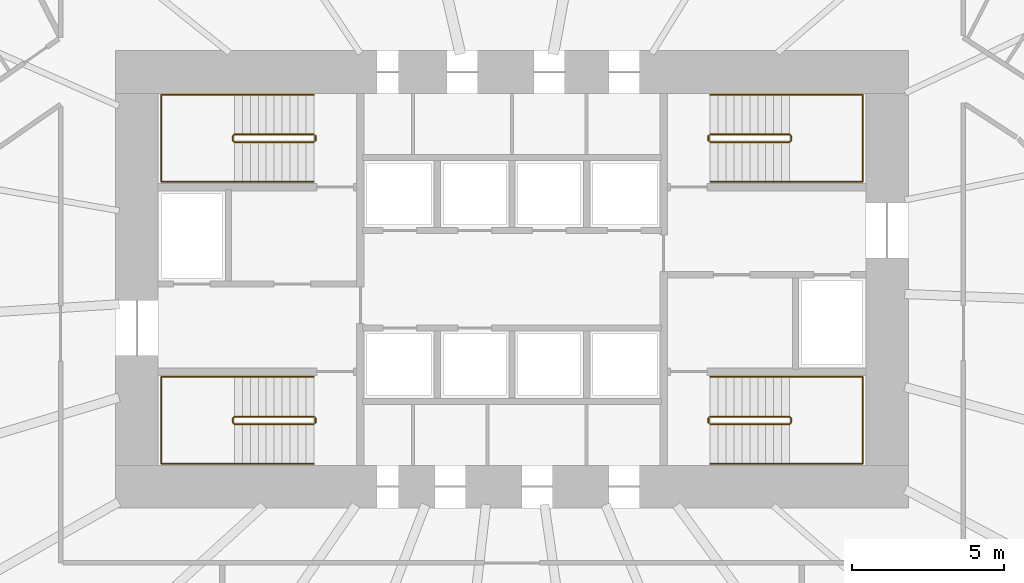
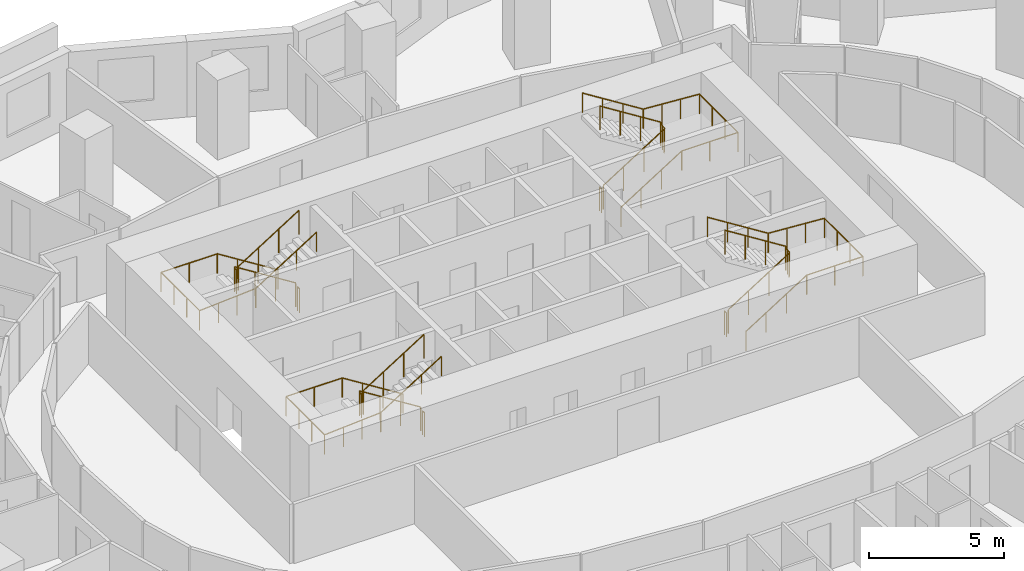
# One storey, part 11 of 11: 12 railings.
"""IFC4 building model written with IfcOpenShell, lengths in metres."""

from ifc_helpers import new_model, si_unit, direction, frame, origin, origin_2d, place, context, subcontext, project, spatial, circle, extrude, material, type_object, element, save


model = new_model("IFC4")

# Units and contexts
model_context = context("Model", 3, precision=1e-05, world=origin(), true_north=direction((0.0, 1.0)))
body_context = subcontext(model_context, "Body", "Model", "MODEL_VIEW")
ifc_project = project(units=[si_unit("LENGTHUNIT", "METRE"), si_unit("AREAUNIT", "SQUARE_METRE"), si_unit("VOLUMEUNIT", "CUBIC_METRE"), si_unit("PLANEANGLEUNIT", "RADIAN"), si_unit("MASSUNIT", "GRAM", prefix="KILO")], contexts=[model_context])

# Site, building, storey
site_placement = place(None, origin())
site = spatial("IfcSite", under=ifc_project, at=site_placement, CompositionType="ELEMENT")
building_placement = place(site_placement, origin())
building = spatial("IfcBuilding", under=site, at=building_placement, Name="Rubra Terraces Tower", CompositionType="ELEMENT")
storey_placement = place(building_placement, frame((0.0, 0.0, 51.89990234375)))
storey = spatial("IfcBuildingStorey", under=building, at=storey_placement, Name="L10", CompositionType="ELEMENT", Elevation=51.89990234375)

# Railings
ifc_material = material(Name="Stainless steel", Category="steel")
railing_type_1 = type_object("IfcRailingType", Name="Core stair guard 1100", PredefinedType="GUARDRAIL", material=ifc_material)
railing_1_placement = place(storey_placement, frame((-6.5, 0.0, 0.163818359375)))
element("IfcRailing", 1, at=railing_1_placement, inside=storey, type_object=railing_type_1, Name="L10 stair S1 guard 1", PredefinedType="GUARDRAIL", context=body_context, shape_type="SweptSolid", body=[
    extrude(circle(Radius=0.02392578125, at=origin_2d()), frame((0.0, 0.0, 1.076171875), z_axis=(-0.846360218416, 0.0, 0.532610909279), x_axis=(0.0, -1.0, 0.0)), (0.0, 0.0, 1.0), 3.072021484375),
    extrude(circle(Radius=0.02392578125, at=origin_2d()), frame((-2.60009765625, 0.0, 2.71240234375), z_axis=(-0.705375805398, -0.708833529934, 0.0), x_axis=(0.708833529934, -0.705375805398, 0.0)), (0.0, 0.0, 1.0), 0.070556640625),
    extrude(circle(Radius=0.02392578125, at=origin_2d()), frame((-2.64990234375, -0.050048828125, 2.71240234375), z_axis=(0.0, -1.0, 0.0), x_axis=(1.0, 0.0, 0.0)), (0.0, 0.0, 1.0), 0.14990234375),
    extrude(circle(Radius=0.02392578125, at=origin_2d()), frame((-2.64990234375, -0.199951171875, 2.71240234375), z_axis=(0.279546231943, -0.280916556609, 0.91811752648), x_axis=(0.708833529934, 0.705375805398, 0.0)), (0.0, 0.0, 1.0), 0.17822265625),
    extrude(circle(Radius=0.02392578125, at=origin_2d()), frame((-2.60009765625, -0.25, 2.8759765625), z_axis=(0.846324394277, 0.0, 0.532667832379), x_axis=(0.0, 1.0, 0.0)), (0.0, 0.0, 1.0), 3.072265625),
    extrude(circle(Radius=0.02099609375, at=origin_2d()), origin(), (0.0, 0.0, 1.0), 1.052001953125),
    extrude(circle(Radius=0.02099609375, at=origin_2d()), frame((-0.86669921875, 0.0, 0.54541015625)), (0.0, 0.0, 1.0), 1.052001953125),
    extrude(circle(Radius=0.02099609375, at=origin_2d()), frame((-1.7333984375, 0.0, 1.0908203125)), (0.0, 0.0, 1.0), 1.052001953125),
    extrude(circle(Radius=0.02099609375, at=origin_2d()), frame((-2.60009765625, 0.0, 1.63623046875)), (0.0, 0.0, 1.0), 1.052001953125),
    extrude(circle(Radius=0.02099609375, at=origin_2d()), frame((-2.64990234375, -0.050048828125, 1.63623046875)), (0.0, 0.0, 1.0), 1.052001953125),
    extrude(circle(Radius=0.02099609375, at=origin_2d()), frame((-2.64990234375, -0.199951171875, 1.63623046875)), (0.0, 0.0, 1.0), 1.052001953125),
    extrude(circle(Radius=0.02099609375, at=origin_2d()), frame((-2.60009765625, -0.25, 1.7998046875)), (0.0, 0.0, 1.0), 1.052001953125),
    extrude(circle(Radius=0.02099609375, at=origin_2d()), frame((-1.7333984375, -0.25, 2.34521484375)), (0.0, 0.0, 1.0), 1.052001953125),
    extrude(circle(Radius=0.02099609375, at=origin_2d()), frame((-0.86669921875, -0.25, 2.890869140625)), (0.0, 0.0, 1.0), 1.052001953125),
    extrude(circle(Radius=0.02099609375, at=origin_2d()), frame((0.0, -0.25, 3.436279296875)), (0.0, 0.0, 1.0), 1.052001953125),
])
railing_2_placement = place(storey_placement, frame((-6.449951171875, -0.050048828125, 0.0)))
element("IfcRailing", 2, at=railing_2_placement, inside=storey, type_object=railing_type_1, Name="L10 stair S1 guard 2", PredefinedType="GUARDRAIL", context=body_context, shape_type="SweptSolid", body=[
    extrude(circle(Radius=0.02392578125, at=origin_2d()), frame((0.0, 0.0, 1.076171875), z_axis=(0.0, -1.0, 0.0), x_axis=(1.0, 0.0, 0.0)), (0.0, 0.0, 1.0), 0.14990234375),
    extrude(circle(Radius=0.02099609375, at=origin_2d()), origin(), (0.0, 0.0, 1.0), 1.052001953125),
    extrude(circle(Radius=0.02099609375, at=origin_2d()), frame((0.0, -0.14990234375, 0.0)), (0.0, 0.0, 1.0), 1.052001953125),
])
railing_3_placement = place(storey_placement, frame((-6.5, 9.25, 0.163818359375)))
element("IfcRailing", 3, at=railing_3_placement, inside=storey, type_object=railing_type_1, Name="L10 stair S2 guard 1", PredefinedType="GUARDRAIL", context=body_context, shape_type="SweptSolid", body=[
    extrude(circle(Radius=0.02392578125, at=origin_2d()), frame((0.0, 0.0, 1.076171875), z_axis=(-0.846360218416, 0.0, 0.532610909279), x_axis=(0.0, -1.0, 0.0)), (0.0, 0.0, 1.0), 3.072021484375),
    extrude(circle(Radius=0.02392578125, at=origin_2d()), frame((-2.60009765625, 0.0, 2.71240234375), z_axis=(-0.705375805398, -0.708833529934, 0.0), x_axis=(0.708833529934, -0.705375805398, 0.0)), (0.0, 0.0, 1.0), 0.070556640625),
    extrude(circle(Radius=0.02392578125, at=origin_2d()), frame((-2.64990234375, -0.050048828125, 2.71240234375), z_axis=(0.0, -1.0, 0.0), x_axis=(1.0, 0.0, 0.0)), (0.0, 0.0, 1.0), 0.14990234375),
    extrude(circle(Radius=0.02392578125, at=origin_2d()), frame((-2.64990234375, -0.199951171875, 2.71240234375), z_axis=(0.279546231943, -0.280916556609, 0.91811752648), x_axis=(0.708833529934, 0.705375805398, 0.0)), (0.0, 0.0, 1.0), 0.17822265625),
    extrude(circle(Radius=0.02392578125, at=origin_2d()), frame((-2.60009765625, -0.25, 2.8759765625), z_axis=(0.846324394277, 0.0, 0.532667832379), x_axis=(0.0, 1.0, 0.0)), (0.0, 0.0, 1.0), 3.072265625),
    extrude(circle(Radius=0.02099609375, at=origin_2d()), origin(), (0.0, 0.0, 1.0), 1.052001953125),
    extrude(circle(Radius=0.02099609375, at=origin_2d()), frame((-0.86669921875, 0.0, 0.54541015625)), (0.0, 0.0, 1.0), 1.052001953125),
    extrude(circle(Radius=0.02099609375, at=origin_2d()), frame((-1.7333984375, 0.0, 1.0908203125)), (0.0, 0.0, 1.0), 1.052001953125),
    extrude(circle(Radius=0.02099609375, at=origin_2d()), frame((-2.60009765625, 0.0, 1.63623046875)), (0.0, 0.0, 1.0), 1.052001953125),
    extrude(circle(Radius=0.02099609375, at=origin_2d()), frame((-2.64990234375, -0.050048828125, 1.63623046875)), (0.0, 0.0, 1.0), 1.052001953125),
    extrude(circle(Radius=0.02099609375, at=origin_2d()), frame((-2.64990234375, -0.199951171875, 1.63623046875)), (0.0, 0.0, 1.0), 1.052001953125),
    extrude(circle(Radius=0.02099609375, at=origin_2d()), frame((-2.60009765625, -0.25, 1.7998046875)), (0.0, 0.0, 1.0), 1.052001953125),
    extrude(circle(Radius=0.02099609375, at=origin_2d()), frame((-1.7333984375, -0.25, 2.34521484375)), (0.0, 0.0, 1.0), 1.052001953125),
    extrude(circle(Radius=0.02099609375, at=origin_2d()), frame((-0.86669921875, -0.25, 2.890869140625)), (0.0, 0.0, 1.0), 1.052001953125),
    extrude(circle(Radius=0.02099609375, at=origin_2d()), frame((0.0, -0.25, 3.436279296875)), (0.0, 0.0, 1.0), 1.052001953125),
])
railing_4_placement = place(storey_placement, frame((-6.449951171875, 9.199951171875, 0.0)))
element("IfcRailing", 4, at=railing_4_placement, inside=storey, type_object=railing_type_1, Name="L10 stair S2 guard 2", PredefinedType="GUARDRAIL", context=body_context, shape_type="SweptSolid", body=[
    extrude(circle(Radius=0.02392578125, at=origin_2d()), frame((0.0, 0.0, 1.076171875), z_axis=(0.0, -1.0, 0.0), x_axis=(1.0, 0.0, 0.0)), (0.0, 0.0, 1.0), 0.14990234375),
    extrude(circle(Radius=0.02099609375, at=origin_2d()), origin(), (0.0, 0.0, 1.0), 1.052001953125),
    extrude(circle(Radius=0.02099609375, at=origin_2d()), frame((0.0, -0.14990234375, 0.0)), (0.0, 0.0, 1.0), 1.052001953125),
])
railing_5_placement = place(storey_placement, frame((6.5, 9.0, 0.163818359375)))
element("IfcRailing", 5, at=railing_5_placement, inside=storey, type_object=railing_type_1, Name="L10 stair S3 guard 1", PredefinedType="GUARDRAIL", context=body_context, shape_type="SweptSolid", body=[
    extrude(circle(Radius=0.02392578125, at=origin_2d()), frame((0.0, 0.0, 1.076171875), z_axis=(0.846360218416, 0.0, 0.532610909279), x_axis=(0.0, 1.0, 0.0)), (0.0, 0.0, 1.0), 3.072021484375),
    extrude(circle(Radius=0.02392578125, at=origin_2d()), frame((2.60009765625, 0.0, 2.71240234375), z_axis=(0.705375805398, 0.708833529934, 0.0), x_axis=(-0.708833529934, 0.705375805398, 0.0)), (0.0, 0.0, 1.0), 0.070556640625),
    extrude(circle(Radius=0.02392578125, at=origin_2d()), frame((2.64990234375, 0.050048828125, 2.71240234375), z_axis=(0.0, 1.0, 0.0), x_axis=(-1.0, 0.0, 0.0)), (0.0, 0.0, 1.0), 0.14990234375),
    extrude(circle(Radius=0.02392578125, at=origin_2d()), frame((2.64990234375, 0.199951171875, 2.71240234375), z_axis=(-0.279546231943, 0.280916556609, 0.91811752648), x_axis=(-0.708833529934, -0.705375805398, 0.0)), (0.0, 0.0, 1.0), 0.17822265625),
    extrude(circle(Radius=0.02392578125, at=origin_2d()), frame((2.60009765625, 0.25, 2.8759765625), z_axis=(-0.846324394277, 0.0, 0.532667832379), x_axis=(0.0, -1.0, 0.0)), (0.0, 0.0, 1.0), 3.072265625),
    extrude(circle(Radius=0.02099609375, at=origin_2d()), origin(), (0.0, 0.0, 1.0), 1.052001953125),
    extrude(circle(Radius=0.02099609375, at=origin_2d()), frame((0.86669921875, 0.0, 0.54541015625)), (0.0, 0.0, 1.0), 1.052001953125),
    extrude(circle(Radius=0.02099609375, at=origin_2d()), frame((1.7333984375, 0.0, 1.0908203125)), (0.0, 0.0, 1.0), 1.052001953125),
    extrude(circle(Radius=0.02099609375, at=origin_2d()), frame((2.60009765625, 0.0, 1.63623046875)), (0.0, 0.0, 1.0), 1.052001953125),
    extrude(circle(Radius=0.02099609375, at=origin_2d()), frame((2.64990234375, 0.050048828125, 1.63623046875)), (0.0, 0.0, 1.0), 1.052001953125),
    extrude(circle(Radius=0.02099609375, at=origin_2d()), frame((2.64990234375, 0.199951171875, 1.63623046875)), (0.0, 0.0, 1.0), 1.052001953125),
    extrude(circle(Radius=0.02099609375, at=origin_2d()), frame((2.60009765625, 0.25, 1.7998046875)), (0.0, 0.0, 1.0), 1.052001953125),
    extrude(circle(Radius=0.02099609375, at=origin_2d()), frame((1.7333984375, 0.25, 2.34521484375)), (0.0, 0.0, 1.0), 1.052001953125),
    extrude(circle(Radius=0.02099609375, at=origin_2d()), frame((0.86669921875, 0.25, 2.890869140625)), (0.0, 0.0, 1.0), 1.052001953125),
    extrude(circle(Radius=0.02099609375, at=origin_2d()), frame((0.0, 0.25, 3.436279296875)), (0.0, 0.0, 1.0), 1.052001953125),
])
railing_6_placement = place(storey_placement, frame((6.449951171875, 9.050048828125, 0.0)))
element("IfcRailing", 6, at=railing_6_placement, inside=storey, type_object=railing_type_1, Name="L10 stair S3 guard 2", PredefinedType="GUARDRAIL", context=body_context, shape_type="SweptSolid", body=[
    extrude(circle(Radius=0.02392578125, at=origin_2d()), frame((0.0, 0.0, 1.076171875), z_axis=(0.0, 1.0, 0.0), x_axis=(-1.0, 0.0, 0.0)), (0.0, 0.0, 1.0), 0.14990234375),
    extrude(circle(Radius=0.02099609375, at=origin_2d()), origin(), (0.0, 0.0, 1.0), 1.052001953125),
    extrude(circle(Radius=0.02099609375, at=origin_2d()), frame((0.0, 0.14990234375, 0.0)), (0.0, 0.0, 1.0), 1.052001953125),
])
railing_7_placement = place(storey_placement, frame((6.5, -0.25, 0.163818359375)))
element("IfcRailing", 7, at=railing_7_placement, inside=storey, type_object=railing_type_1, Name="L10 stair S4 guard 1", PredefinedType="GUARDRAIL", context=body_context, shape_type="SweptSolid", body=[
    extrude(circle(Radius=0.02392578125, at=origin_2d()), frame((0.0, 0.0, 1.076171875), z_axis=(0.846360218416, 0.0, 0.532610909279), x_axis=(0.0, 1.0, 0.0)), (0.0, 0.0, 1.0), 3.072021484375),
    extrude(circle(Radius=0.02392578125, at=origin_2d()), frame((2.60009765625, 0.0, 2.71240234375), z_axis=(0.705375805398, 0.708833529934, 0.0), x_axis=(-0.708833529934, 0.705375805398, 0.0)), (0.0, 0.0, 1.0), 0.070556640625),
    extrude(circle(Radius=0.02392578125, at=origin_2d()), frame((2.64990234375, 0.050048828125, 2.71240234375), z_axis=(0.0, 1.0, 0.0), x_axis=(-1.0, 0.0, 0.0)), (0.0, 0.0, 1.0), 0.14990234375),
    extrude(circle(Radius=0.02392578125, at=origin_2d()), frame((2.64990234375, 0.199951171875, 2.71240234375), z_axis=(-0.279546231943, 0.280916556609, 0.91811752648), x_axis=(-0.708833529934, -0.705375805398, 0.0)), (0.0, 0.0, 1.0), 0.17822265625),
    extrude(circle(Radius=0.02392578125, at=origin_2d()), frame((2.60009765625, 0.25, 2.8759765625), z_axis=(-0.846324394277, 0.0, 0.532667832379), x_axis=(0.0, -1.0, 0.0)), (0.0, 0.0, 1.0), 3.072265625),
    extrude(circle(Radius=0.02099609375, at=origin_2d()), origin(), (0.0, 0.0, 1.0), 1.052001953125),
    extrude(circle(Radius=0.02099609375, at=origin_2d()), frame((0.86669921875, 0.0, 0.54541015625)), (0.0, 0.0, 1.0), 1.052001953125),
    extrude(circle(Radius=0.02099609375, at=origin_2d()), frame((1.7333984375, 0.0, 1.0908203125)), (0.0, 0.0, 1.0), 1.052001953125),
    extrude(circle(Radius=0.02099609375, at=origin_2d()), frame((2.60009765625, 0.0, 1.63623046875)), (0.0, 0.0, 1.0), 1.052001953125),
    extrude(circle(Radius=0.02099609375, at=origin_2d()), frame((2.64990234375, 0.050048828125, 1.63623046875)), (0.0, 0.0, 1.0), 1.052001953125),
    extrude(circle(Radius=0.02099609375, at=origin_2d()), frame((2.64990234375, 0.199951171875, 1.63623046875)), (0.0, 0.0, 1.0), 1.052001953125),
    extrude(circle(Radius=0.02099609375, at=origin_2d()), frame((2.60009765625, 0.25, 1.7998046875)), (0.0, 0.0, 1.0), 1.052001953125),
    extrude(circle(Radius=0.02099609375, at=origin_2d()), frame((1.7333984375, 0.25, 2.34521484375)), (0.0, 0.0, 1.0), 1.052001953125),
    extrude(circle(Radius=0.02099609375, at=origin_2d()), frame((0.86669921875, 0.25, 2.890869140625)), (0.0, 0.0, 1.0), 1.052001953125),
    extrude(circle(Radius=0.02099609375, at=origin_2d()), frame((0.0, 0.25, 3.436279296875)), (0.0, 0.0, 1.0), 1.052001953125),
])
railing_8_placement = place(storey_placement, frame((6.449951171875, -0.199951171875, 0.0)))
element("IfcRailing", 8, at=railing_8_placement, inside=storey, type_object=railing_type_1, Name="L10 stair S4 guard 2", PredefinedType="GUARDRAIL", context=body_context, shape_type="SweptSolid", body=[
    extrude(circle(Radius=0.02392578125, at=origin_2d()), frame((0.0, 0.0, 1.076171875), z_axis=(0.0, 1.0, 0.0), x_axis=(-1.0, 0.0, 0.0)), (0.0, 0.0, 1.0), 0.14990234375),
    extrude(circle(Radius=0.02099609375, at=origin_2d()), origin(), (0.0, 0.0, 1.0), 1.052001953125),
    extrude(circle(Radius=0.02099609375, at=origin_2d()), frame((0.0, 0.14990234375, 0.0)), (0.0, 0.0, 1.0), 1.052001953125),
])
railing_type_2 = type_object("IfcRailingType", Name="Core stair handrail 900", PredefinedType="HANDRAIL", material=ifc_material)
railing_9_placement = place(storey_placement, frame((-6.5, 1.300048828125, 0.163818359375)))
element("IfcRailing", 9, at=railing_9_placement, inside=storey, type_object=railing_type_2, Name="L10 stair S1 handrail 1", PredefinedType="HANDRAIL", context=body_context, shape_type="SweptSolid", body=[
    extrude(circle(Radius=0.02392578125, at=origin_2d()), frame((0.0, 0.0, 0.8759765625), z_axis=(-0.846360218416, 0.0, 0.532610909279), x_axis=(0.0, -1.0, 0.0)), (0.0, 0.0, 1.0), 3.072021484375),
    extrude(circle(Radius=0.02392578125, at=origin_2d()), frame((-2.60009765625, 0.0, 2.51220703125), z_axis=(-1.0, 0.0, 0.0), x_axis=(0.0, -1.0, 0.0)), (0.0, 0.0, 1.0), 2.39990234375),
    extrude(circle(Radius=0.02392578125, at=origin_2d()), frame((-5.0, 0.0, 2.51220703125), z_axis=(0.0, -1.0, 0.0), x_axis=(1.0, 0.0, 0.0)), (0.0, 0.0, 1.0), 2.85009765625),
    extrude(circle(Radius=0.02392578125, at=origin_2d()), frame((-5.0, -2.85009765625, 2.51220703125), z_axis=(0.997685257876, 0.0, 0.068000928055), x_axis=(0.0, 1.0, 0.0)), (0.0, 0.0, 1.0), 2.405517578125),
    extrude(circle(Radius=0.02392578125, at=origin_2d()), frame((-2.60009765625, -2.85009765625, 2.67578125), z_axis=(0.846324394277, 0.0, 0.532667832379), x_axis=(0.0, 1.0, 0.0)), (0.0, 0.0, 1.0), 3.072265625),
    extrude(circle(Radius=0.02099609375, at=origin_2d()), origin(), (0.0, 0.0, 1.0), 0.851806640625),
    extrude(circle(Radius=0.02099609375, at=origin_2d()), frame((-0.86669921875, 0.0, 0.54541015625)), (0.0, 0.0, 1.0), 0.851806640625),
    extrude(circle(Radius=0.02099609375, at=origin_2d()), frame((-1.7333984375, 0.0, 1.0908203125)), (0.0, 0.0, 1.0), 0.851806640625),
    extrude(circle(Radius=0.02099609375, at=origin_2d()), frame((-2.60009765625, 0.0, 1.63623046875)), (0.0, 0.0, 1.0), 0.851806640625),
    extrude(circle(Radius=0.02099609375, at=origin_2d()), frame((-3.800048828125, 0.0, 1.63623046875)), (0.0, 0.0, 1.0), 0.851806640625),
    extrude(circle(Radius=0.02099609375, at=origin_2d()), frame((-5.0, 0.0, 1.63623046875)), (0.0, 0.0, 1.0), 0.851806640625),
    extrude(circle(Radius=0.02099609375, at=origin_2d()), frame((-5.0, -0.949951171875, 1.63623046875)), (0.0, 0.0, 1.0), 0.851806640625),
    extrude(circle(Radius=0.02099609375, at=origin_2d()), frame((-5.0, -1.900146484375, 1.63623046875)), (0.0, 0.0, 1.0), 0.851806640625),
    extrude(circle(Radius=0.02099609375, at=origin_2d()), frame((-5.0, -2.85009765625, 1.63623046875)), (0.0, 0.0, 1.0), 0.851806640625),
    extrude(circle(Radius=0.02099609375, at=origin_2d()), frame((-4.199951171875, -2.85009765625, 1.690673828125)), (0.0, 0.0, 1.0), 0.851806640625),
    extrude(circle(Radius=0.02099609375, at=origin_2d()), frame((-3.400146484375, -2.85009765625, 1.745361328125)), (0.0, 0.0, 1.0), 0.851806640625),
    extrude(circle(Radius=0.02099609375, at=origin_2d()), frame((-2.60009765625, -2.85009765625, 1.7998046875)), (0.0, 0.0, 1.0), 0.851806640625),
    extrude(circle(Radius=0.02099609375, at=origin_2d()), frame((-1.7333984375, -2.85009765625, 2.34521484375)), (0.0, 0.0, 1.0), 0.851806640625),
    extrude(circle(Radius=0.02099609375, at=origin_2d()), frame((-0.86669921875, -2.85009765625, 2.890869140625)), (0.0, 0.0, 1.0), 0.851806640625),
    extrude(circle(Radius=0.02099609375, at=origin_2d()), frame((0.0, -2.85009765625, 3.436279296875)), (0.0, 0.0, 1.0), 0.851806640625),
])
railing_10_placement = place(storey_placement, frame((-6.5, 10.550048828125, 0.163818359375)))
element("IfcRailing", 10, at=railing_10_placement, inside=storey, type_object=railing_type_2, Name="L10 stair S2 handrail 1", PredefinedType="HANDRAIL", context=body_context, shape_type="SweptSolid", body=[
    extrude(circle(Radius=0.02392578125, at=origin_2d()), frame((0.0, 0.0, 0.8759765625), z_axis=(-0.846360218416, 0.0, 0.532610909279), x_axis=(0.0, -1.0, 0.0)), (0.0, 0.0, 1.0), 3.072021484375),
    extrude(circle(Radius=0.02392578125, at=origin_2d()), frame((-2.60009765625, 0.0, 2.51220703125), z_axis=(-1.0, 0.0, 0.0), x_axis=(0.0, -1.0, 0.0)), (0.0, 0.0, 1.0), 2.39990234375),
    extrude(circle(Radius=0.02392578125, at=origin_2d()), frame((-5.0, 0.0, 2.51220703125), z_axis=(0.0, -1.0, 0.0), x_axis=(1.0, 0.0, 0.0)), (0.0, 0.0, 1.0), 2.85009765625),
    extrude(circle(Radius=0.02392578125, at=origin_2d()), frame((-5.0, -2.85009765625, 2.51220703125), z_axis=(0.997685257876, 0.0, 0.068000928055), x_axis=(0.0, 1.0, 0.0)), (0.0, 0.0, 1.0), 2.405517578125),
    extrude(circle(Radius=0.02392578125, at=origin_2d()), frame((-2.60009765625, -2.85009765625, 2.67578125), z_axis=(0.846324394277, 0.0, 0.532667832379), x_axis=(0.0, 1.0, 0.0)), (0.0, 0.0, 1.0), 3.072265625),
    extrude(circle(Radius=0.02099609375, at=origin_2d()), origin(), (0.0, 0.0, 1.0), 0.851806640625),
    extrude(circle(Radius=0.02099609375, at=origin_2d()), frame((-0.86669921875, 0.0, 0.54541015625)), (0.0, 0.0, 1.0), 0.851806640625),
    extrude(circle(Radius=0.02099609375, at=origin_2d()), frame((-1.7333984375, 0.0, 1.0908203125)), (0.0, 0.0, 1.0), 0.851806640625),
    extrude(circle(Radius=0.02099609375, at=origin_2d()), frame((-2.60009765625, 0.0, 1.63623046875)), (0.0, 0.0, 1.0), 0.851806640625),
    extrude(circle(Radius=0.02099609375, at=origin_2d()), frame((-3.800048828125, 0.0, 1.63623046875)), (0.0, 0.0, 1.0), 0.851806640625),
    extrude(circle(Radius=0.02099609375, at=origin_2d()), frame((-5.0, 0.0, 1.63623046875)), (0.0, 0.0, 1.0), 0.851806640625),
    extrude(circle(Radius=0.02099609375, at=origin_2d()), frame((-5.0, -0.949951171875, 1.63623046875)), (0.0, 0.0, 1.0), 0.851806640625),
    extrude(circle(Radius=0.02099609375, at=origin_2d()), frame((-5.0, -1.900146484375, 1.63623046875)), (0.0, 0.0, 1.0), 0.851806640625),
    extrude(circle(Radius=0.02099609375, at=origin_2d()), frame((-5.0, -2.85009765625, 1.63623046875)), (0.0, 0.0, 1.0), 0.851806640625),
    extrude(circle(Radius=0.02099609375, at=origin_2d()), frame((-4.199951171875, -2.85009765625, 1.690673828125)), (0.0, 0.0, 1.0), 0.851806640625),
    extrude(circle(Radius=0.02099609375, at=origin_2d()), frame((-3.400146484375, -2.85009765625, 1.745361328125)), (0.0, 0.0, 1.0), 0.851806640625),
    extrude(circle(Radius=0.02099609375, at=origin_2d()), frame((-2.60009765625, -2.85009765625, 1.7998046875)), (0.0, 0.0, 1.0), 0.851806640625),
    extrude(circle(Radius=0.02099609375, at=origin_2d()), frame((-1.7333984375, -2.85009765625, 2.34521484375)), (0.0, 0.0, 1.0), 0.851806640625),
    extrude(circle(Radius=0.02099609375, at=origin_2d()), frame((-0.86669921875, -2.85009765625, 2.890869140625)), (0.0, 0.0, 1.0), 0.851806640625),
    extrude(circle(Radius=0.02099609375, at=origin_2d()), frame((0.0, -2.85009765625, 3.436279296875)), (0.0, 0.0, 1.0), 0.851806640625),
])
railing_11_placement = place(storey_placement, frame((6.5, 7.699951171875, 0.163818359375)))
element("IfcRailing", 11, at=railing_11_placement, inside=storey, type_object=railing_type_2, Name="L10 stair S3 handrail 1", PredefinedType="HANDRAIL", context=body_context, shape_type="SweptSolid", body=[
    extrude(circle(Radius=0.02392578125, at=origin_2d()), frame((0.0, 0.0, 0.8759765625), z_axis=(0.846360218416, 0.0, 0.532610909279), x_axis=(0.0, 1.0, 0.0)), (0.0, 0.0, 1.0), 3.072021484375),
    extrude(circle(Radius=0.02392578125, at=origin_2d()), frame((2.60009765625, 0.0, 2.51220703125), z_axis=(1.0, 0.0, 0.0), x_axis=(0.0, 1.0, 0.0)), (0.0, 0.0, 1.0), 2.39990234375),
    extrude(circle(Radius=0.02392578125, at=origin_2d()), frame((5.0, 0.0, 2.51220703125), z_axis=(0.0, 1.0, 0.0), x_axis=(-1.0, 0.0, 0.0)), (0.0, 0.0, 1.0), 2.85009765625),
    extrude(circle(Radius=0.02392578125, at=origin_2d()), frame((5.0, 2.85009765625, 2.51220703125), z_axis=(-0.997685257876, 0.0, 0.068000928055), x_axis=(0.0, -1.0, 0.0)), (0.0, 0.0, 1.0), 2.405517578125),
    extrude(circle(Radius=0.02392578125, at=origin_2d()), frame((2.60009765625, 2.85009765625, 2.67578125), z_axis=(-0.846324394277, 0.0, 0.532667832379), x_axis=(0.0, -1.0, 0.0)), (0.0, 0.0, 1.0), 3.072265625),
    extrude(circle(Radius=0.02099609375, at=origin_2d()), origin(), (0.0, 0.0, 1.0), 0.851806640625),
    extrude(circle(Radius=0.02099609375, at=origin_2d()), frame((0.86669921875, 0.0, 0.54541015625)), (0.0, 0.0, 1.0), 0.851806640625),
    extrude(circle(Radius=0.02099609375, at=origin_2d()), frame((1.7333984375, 0.0, 1.0908203125)), (0.0, 0.0, 1.0), 0.851806640625),
    extrude(circle(Radius=0.02099609375, at=origin_2d()), frame((2.60009765625, 0.0, 1.63623046875)), (0.0, 0.0, 1.0), 0.851806640625),
    extrude(circle(Radius=0.02099609375, at=origin_2d()), frame((3.800048828125, 0.0, 1.63623046875)), (0.0, 0.0, 1.0), 0.851806640625),
    extrude(circle(Radius=0.02099609375, at=origin_2d()), frame((5.0, 0.0, 1.63623046875)), (0.0, 0.0, 1.0), 0.851806640625),
    extrude(circle(Radius=0.02099609375, at=origin_2d()), frame((5.0, 0.949951171875, 1.63623046875)), (0.0, 0.0, 1.0), 0.851806640625),
    extrude(circle(Radius=0.02099609375, at=origin_2d()), frame((5.0, 1.900146484375, 1.63623046875)), (0.0, 0.0, 1.0), 0.851806640625),
    extrude(circle(Radius=0.02099609375, at=origin_2d()), frame((5.0, 2.85009765625, 1.63623046875)), (0.0, 0.0, 1.0), 0.851806640625),
    extrude(circle(Radius=0.02099609375, at=origin_2d()), frame((4.199951171875, 2.85009765625, 1.690673828125)), (0.0, 0.0, 1.0), 0.851806640625),
    extrude(circle(Radius=0.02099609375, at=origin_2d()), frame((3.400146484375, 2.85009765625, 1.745361328125)), (0.0, 0.0, 1.0), 0.851806640625),
    extrude(circle(Radius=0.02099609375, at=origin_2d()), frame((2.60009765625, 2.85009765625, 1.7998046875)), (0.0, 0.0, 1.0), 0.851806640625),
    extrude(circle(Radius=0.02099609375, at=origin_2d()), frame((1.7333984375, 2.85009765625, 2.34521484375)), (0.0, 0.0, 1.0), 0.851806640625),
    extrude(circle(Radius=0.02099609375, at=origin_2d()), frame((0.86669921875, 2.85009765625, 2.890869140625)), (0.0, 0.0, 1.0), 0.851806640625),
    extrude(circle(Radius=0.02099609375, at=origin_2d()), frame((0.0, 2.85009765625, 3.436279296875)), (0.0, 0.0, 1.0), 0.851806640625),
])
railing_12_placement = place(storey_placement, frame((6.5, -1.550048828125, 0.163818359375)))
element("IfcRailing", 12, at=railing_12_placement, inside=storey, type_object=railing_type_2, Name="L10 stair S4 handrail 1", PredefinedType="HANDRAIL", context=body_context, shape_type="SweptSolid", body=[
    extrude(circle(Radius=0.02392578125, at=origin_2d()), frame((0.0, 0.0, 0.8759765625), z_axis=(0.846360218416, 0.0, 0.532610909279), x_axis=(0.0, 1.0, 0.0)), (0.0, 0.0, 1.0), 3.072021484375),
    extrude(circle(Radius=0.02392578125, at=origin_2d()), frame((2.60009765625, 0.0, 2.51220703125), z_axis=(1.0, 0.0, 0.0), x_axis=(0.0, 1.0, 0.0)), (0.0, 0.0, 1.0), 2.39990234375),
    extrude(circle(Radius=0.02392578125, at=origin_2d()), frame((5.0, 0.0, 2.51220703125), z_axis=(0.0, 1.0, 0.0), x_axis=(-1.0, 0.0, 0.0)), (0.0, 0.0, 1.0), 2.85009765625),
    extrude(circle(Radius=0.02392578125, at=origin_2d()), frame((5.0, 2.85009765625, 2.51220703125), z_axis=(-0.997685257876, 0.0, 0.068000928055), x_axis=(0.0, -1.0, 0.0)), (0.0, 0.0, 1.0), 2.405517578125),
    extrude(circle(Radius=0.02392578125, at=origin_2d()), frame((2.60009765625, 2.85009765625, 2.67578125), z_axis=(-0.846324394277, 0.0, 0.532667832379), x_axis=(0.0, -1.0, 0.0)), (0.0, 0.0, 1.0), 3.072265625),
    extrude(circle(Radius=0.02099609375, at=origin_2d()), origin(), (0.0, 0.0, 1.0), 0.851806640625),
    extrude(circle(Radius=0.02099609375, at=origin_2d()), frame((0.86669921875, 0.0, 0.54541015625)), (0.0, 0.0, 1.0), 0.851806640625),
    extrude(circle(Radius=0.02099609375, at=origin_2d()), frame((1.7333984375, 0.0, 1.0908203125)), (0.0, 0.0, 1.0), 0.851806640625),
    extrude(circle(Radius=0.02099609375, at=origin_2d()), frame((2.60009765625, 0.0, 1.63623046875)), (0.0, 0.0, 1.0), 0.851806640625),
    extrude(circle(Radius=0.02099609375, at=origin_2d()), frame((3.800048828125, 0.0, 1.63623046875)), (0.0, 0.0, 1.0), 0.851806640625),
    extrude(circle(Radius=0.02099609375, at=origin_2d()), frame((5.0, 0.0, 1.63623046875)), (0.0, 0.0, 1.0), 0.851806640625),
    extrude(circle(Radius=0.02099609375, at=origin_2d()), frame((5.0, 0.949951171875, 1.63623046875)), (0.0, 0.0, 1.0), 0.851806640625),
    extrude(circle(Radius=0.02099609375, at=origin_2d()), frame((5.0, 1.900146484375, 1.63623046875)), (0.0, 0.0, 1.0), 0.851806640625),
    extrude(circle(Radius=0.02099609375, at=origin_2d()), frame((5.0, 2.85009765625, 1.63623046875)), (0.0, 0.0, 1.0), 0.851806640625),
    extrude(circle(Radius=0.02099609375, at=origin_2d()), frame((4.199951171875, 2.85009765625, 1.690673828125)), (0.0, 0.0, 1.0), 0.851806640625),
    extrude(circle(Radius=0.02099609375, at=origin_2d()), frame((3.400146484375, 2.85009765625, 1.745361328125)), (0.0, 0.0, 1.0), 0.851806640625),
    extrude(circle(Radius=0.02099609375, at=origin_2d()), frame((2.60009765625, 2.85009765625, 1.7998046875)), (0.0, 0.0, 1.0), 0.851806640625),
    extrude(circle(Radius=0.02099609375, at=origin_2d()), frame((1.7333984375, 2.85009765625, 2.34521484375)), (0.0, 0.0, 1.0), 0.851806640625),
    extrude(circle(Radius=0.02099609375, at=origin_2d()), frame((0.86669921875, 2.85009765625, 2.890869140625)), (0.0, 0.0, 1.0), 0.851806640625),
    extrude(circle(Radius=0.02099609375, at=origin_2d()), frame((0.0, 2.85009765625, 3.436279296875)), (0.0, 0.0, 1.0), 0.851806640625),
])

save(model, "model.ifc")
